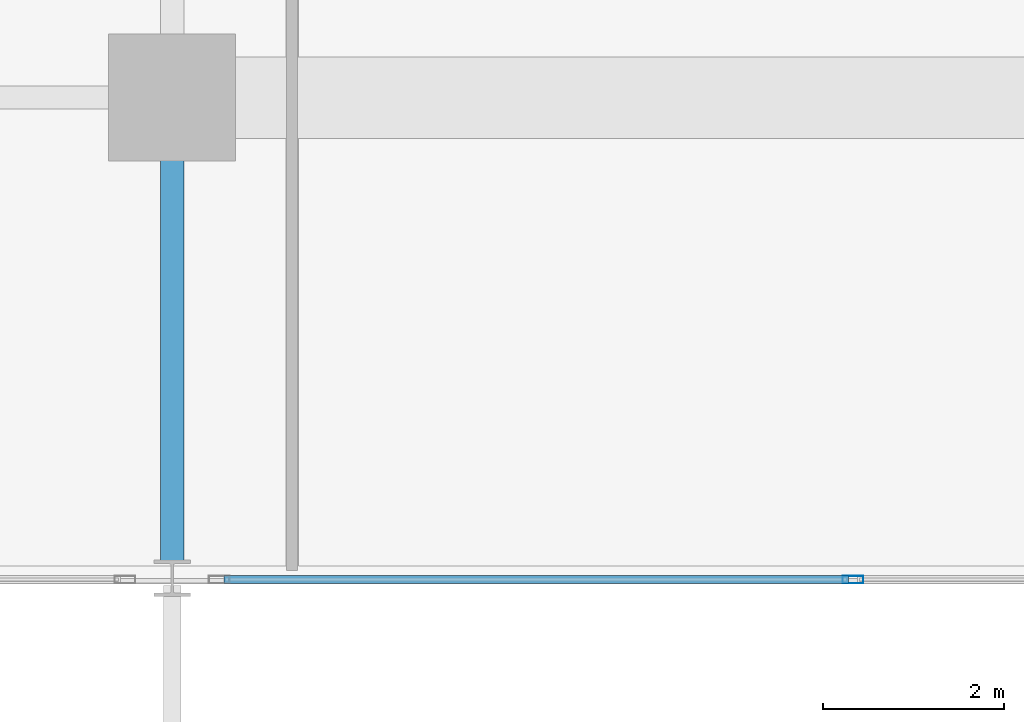
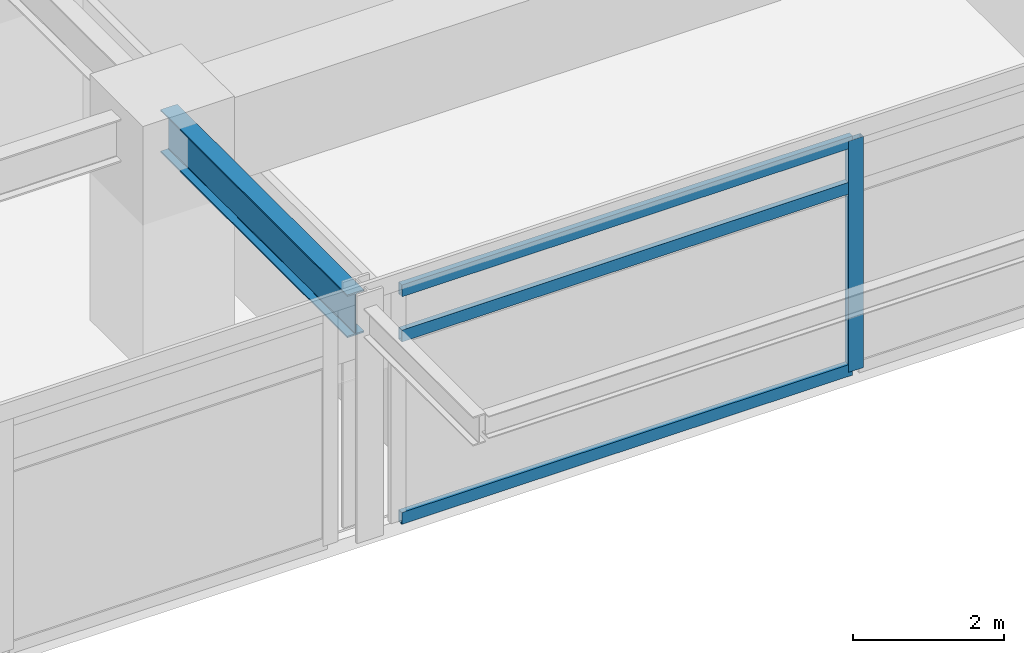
# One storey, part 4 of 21: 4 members, 1 beam, 1 element without a shape of its own.
"""IFC4 building model written with IfcOpenShell, lengths in metres."""

from ifc_helpers import new_model, si_unit, direction, frame, origin, origin_2d, place, context, subcontext, project, spatial, hollow_rectangle, i_section, extrude, material, material_profile, profile_set, type_object, element, aggregate, save


model = new_model("IFC4")

# Units and contexts
model_context = context("Model", 3, precision=1e-05, world=origin(), true_north=direction((0.0, 1.0)))
body_context = subcontext(model_context, "Body", "Model", "MODEL_VIEW")
ifc_project = project(units=[si_unit("LENGTHUNIT", "METRE"), si_unit("AREAUNIT", "SQUARE_METRE"), si_unit("VOLUMEUNIT", "CUBIC_METRE"), si_unit("PLANEANGLEUNIT", "RADIAN"), si_unit("MASSUNIT", "GRAM", prefix="KILO")], contexts=[model_context])

# Site, building, storey
site_placement = place(None, origin())
site = spatial("IfcSite", under=ifc_project, at=site_placement, CompositionType="ELEMENT")
building_placement = place(site_placement, origin())
building = spatial("IfcBuilding", under=site, at=building_placement, Name="Kovane Verandah Tower", CompositionType="ELEMENT")
storey_placement = place(building_placement, frame((0.0, 0.0, 217.199951171875)))
storey = spatial("IfcBuildingStorey", under=building, at=storey_placement, Name="L50", CompositionType="ELEMENT", Elevation=217.199951171875)

# Beam
ifc_material_1 = material(Name="Steel S355", Category="steel")
ifc_material_profile_1 = material_profile(ifc_material_1, i_section(OverallWidth=0.255859375, OverallDepth=0.69287109375, WebThickness=0.014404296875, FlangeThickness=0.023681640625, FilletRadius=0.01513671875, at=origin_2d()), Name="UB686x254x170")
ifc_profile_set_1 = profile_set([ifc_material_profile_1], Name="Steel S355")
beam_type = type_object("IfcBeamType", Name="BM-UB686x170", PredefinedType="BEAM", material=ifc_profile_set_1)
beam_placement = place(storey_placement, frame((29.0, 10.6201171875, 3.41357421875), z_axis=(0.0, -1.0, 0.0), x_axis=(1.0, 0.0, 0.0)))
element("IfcBeam", 1, at=beam_placement, inside=storey, type_object=beam_type, Name="L50 Primary Tower Girder G-VS1", PredefinedType="BEAM", context=body_context, shape_type="SweptSolid", body=[
    extrude(i_section(OverallWidth=0.255859375, OverallDepth=0.69287109375, WebThickness=0.014404296875, FlangeThickness=0.023681640625, FilletRadius=0.01513671875, at=origin_2d()), origin(), (0.0, 0.0, 1.0), 4.940185546875),
])

# Curtain wall, members
ifc_material_2 = material(Name="Champagne Anodised Aluminium Frame with Low-E Clear Laminated Glass", Category="aluminium")
curtain_wall_type = type_object("IfcCurtainWallType", Name="CW-SYS-03-MID", PredefinedType="NOTDEFINED", material=ifc_material_2)
curtain_wall_placement = place(storey_placement, origin())
curtain_wall = element("IfcCurtainWall", 2, at=curtain_wall_placement, inside=storey, type_object=curtain_wall_type, Name="L50 S Unitised Curtain Wall-2", PredefinedType="NOTDEFINED")
ifc_material_3 = material(Name="Champagne Anodised Aluminium 6063-T6", Category="aluminium")
ifc_material_profile_2 = material_profile(ifc_material_3, hollow_rectangle(XDim=0.0849609375, YDim=0.22998046875, WallThickness=0.00390625, at=origin_2d()), Name="AL85x230x4")
ifc_profile_set_2 = profile_set([ifc_material_profile_2], Name="Champagne Anodised Aluminium 6063-T6")
member_type_1 = type_object("IfcMemberType", Name="CW-MUL-85x230", PredefinedType="MULLION", material=ifc_profile_set_2)
member_1_placement = place(storey_placement, frame((36.506591796875, 5.485595703125, 0.02001953125), z_axis=(0.0, 0.0, 1.0), x_axis=(0.0, -1.0, 0.0)))
member_1 = element("IfcMember", 3, at=member_1_placement, type_object=member_type_1, Name="L50 S Unitised Curtain Wall-2 Mullion 2", PredefinedType="MULLION", context=body_context, shape_type="SweptSolid", body=[
    extrude(hollow_rectangle(XDim=0.0849609375, YDim=0.22998046875, WallThickness=0.00390625, at=origin_2d()), origin(), (0.0, 0.0, 1.0), 3.735107421875),
])
ifc_material_profile_3 = material_profile(ifc_material_3, hollow_rectangle(XDim=0.0849609375, YDim=0.18994140625, WallThickness=0.00390625, at=origin_2d()), Name="AL85x190x4")
ifc_profile_set_3 = profile_set([ifc_material_profile_3], Name="Champagne Anodised Aluminium 6063-T6")
member_type_2 = type_object("IfcMemberType", Name="CW-TRN-85x190", PredefinedType="USERDEFINED", material=ifc_profile_set_3)
member_2_placement = place(storey_placement, frame((29.570068359375, 5.485595703125, 0.050048828125), z_axis=(1.0, 0.0, 0.0), x_axis=(0.0, 1.0, 0.0)))
member_2 = element("IfcMember", 4, at=member_2_placement, type_object=member_type_2, Name="L50 S Unitised Curtain Wall-2 Transom TB Bay 1", ObjectType="TRANSOM", PredefinedType="USERDEFINED", context=body_context, shape_type="SweptSolid", body=[
    extrude(hollow_rectangle(XDim=0.0849609375, YDim=0.18994140625, WallThickness=0.00390625, at=origin_2d()), origin(), (0.0, 0.0, 1.0), 6.88671875),
])
member_3_placement = place(storey_placement, frame((29.570068359375, 5.485595703125, 2.9951171875), z_axis=(1.0, 0.0, 0.0), x_axis=(0.0, 1.0, 0.0)))
member_3 = element("IfcMember", 5, at=member_3_placement, type_object=member_type_2, Name="L50 S Unitised Curtain Wall-2 Transom TM Bay 1", ObjectType="TRANSOM", PredefinedType="USERDEFINED", context=body_context, shape_type="SweptSolid", body=[
    extrude(hollow_rectangle(XDim=0.0849609375, YDim=0.18994140625, WallThickness=0.00390625, at=origin_2d()), origin(), (0.0, 0.0, 1.0), 6.88671875),
])
member_4_placement = place(storey_placement, frame((29.570068359375, 5.485595703125, 3.72509765625), z_axis=(1.0, 0.0, 0.0), x_axis=(0.0, 1.0, 0.0)))
member_4 = element("IfcMember", 6, at=member_4_placement, type_object=member_type_2, Name="L50 S Unitised Curtain Wall-2 Transom TT Bay 1", ObjectType="TRANSOM", PredefinedType="USERDEFINED", context=body_context, shape_type="SweptSolid", body=[
    extrude(hollow_rectangle(XDim=0.0849609375, YDim=0.18994140625, WallThickness=0.00390625, at=origin_2d()), origin(), (0.0, 0.0, 1.0), 6.88671875),
])
aggregate(curtain_wall, [member_1, member_2, member_3, member_4])

save(model, "model.ifc")
